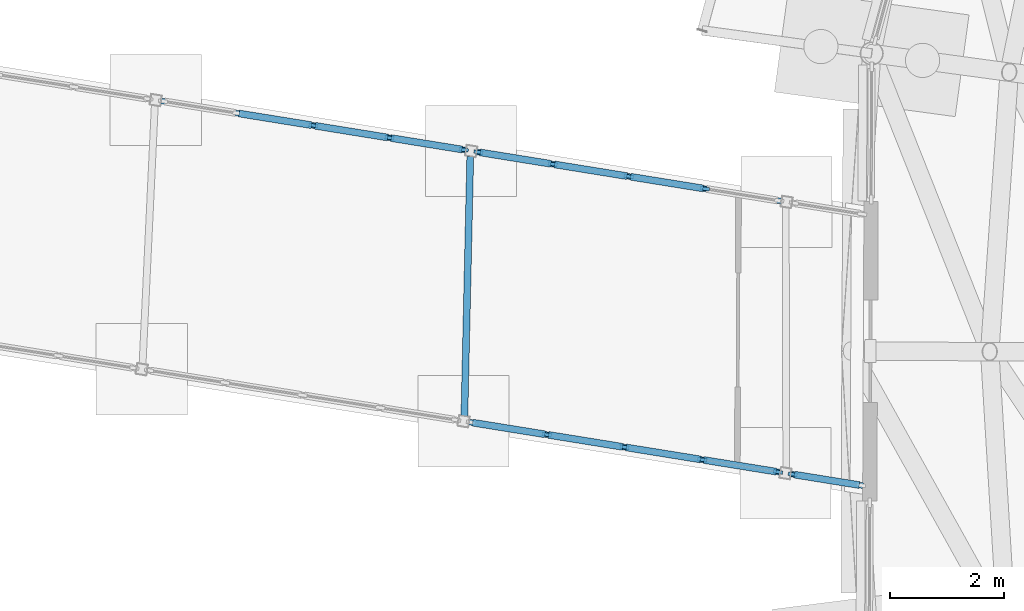
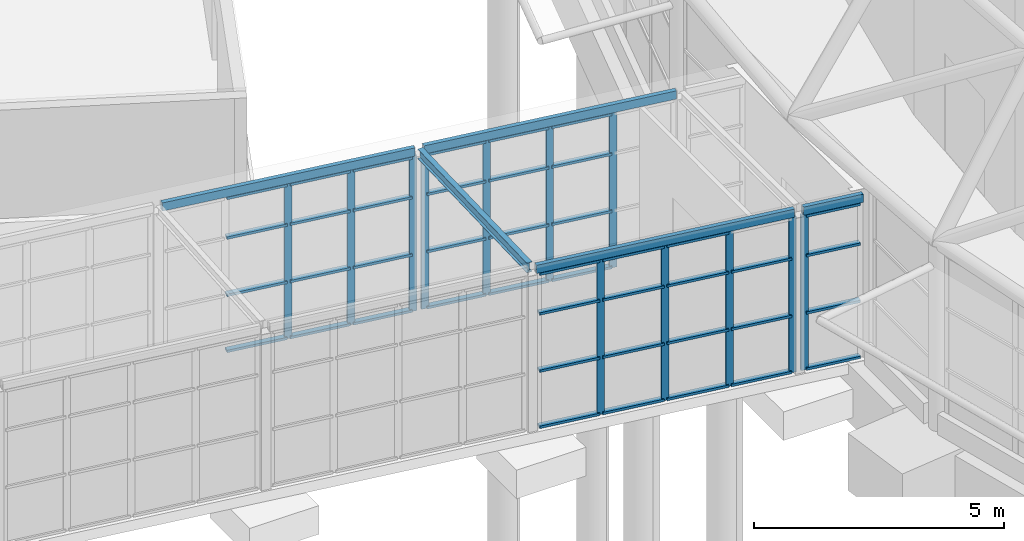
# One storey, part 81 of 226: 55 members, 5 beams, 4 elements without a shape of their own.
"""IFC4 building model written with IfcOpenShell, lengths in metres."""

from ifc_helpers import new_model, si_unit, direction, frame, origin, origin_2d, place, context, subcontext, project, spatial, rectangle, hollow_rectangle, i_section, extrude, material, material_profile, profile_set, type_object, element, aggregate, save


model = new_model("IFC4")

# Units and contexts
model_context = context("Model", 3, precision=1e-05, world=origin(), true_north=direction((0.0, 1.0)))
body_context = subcontext(model_context, "Body", "Model", "MODEL_VIEW")
ifc_project = project(units=[si_unit("LENGTHUNIT", "METRE"), si_unit("AREAUNIT", "SQUARE_METRE"), si_unit("VOLUMEUNIT", "CUBIC_METRE"), si_unit("PLANEANGLEUNIT", "RADIAN"), si_unit("MASSUNIT", "GRAM", prefix="KILO")], contexts=[model_context])

# Site, building, storey
site_placement = place(None, origin())
site = spatial("IfcSite", under=ifc_project, at=site_placement, CompositionType="ELEMENT")
building_placement = place(site_placement, origin())
building = spatial("IfcBuilding", under=site, at=building_placement, Name="Ceibo Conservatory and Research Tower", CompositionType="ELEMENT")
storey_placement = place(building_placement, origin())
storey = spatial("IfcBuildingStorey", under=building, at=storey_placement, Name="L00", CompositionType="ELEMENT", Elevation=0.0)

# Curtain wall, member
ifc_material_1 = material(Name="Aluminium and glass", Category="aluminium")
curtain_wall_type = type_object("IfcCurtainWallType", Name="Gallery curtain wall", PredefinedType="NOTDEFINED", material=ifc_material_1)
curtain_wall_1_placement = place(storey_placement, origin())
curtain_wall_1 = element("IfcCurtainWall", 1, at=curtain_wall_1_placement, inside=storey, type_object=curtain_wall_type, Name="Gallery curtain wall A-RT-CWN01", PredefinedType="NOTDEFINED")
ifc_material_2 = material(Name="Aluminium", Category="aluminium")
ifc_material_profile_1 = material_profile(ifc_material_2, rectangle(XDim=0.06005859375, YDim=0.159912109375, at=origin_2d()), Name="AL 60x160")
ifc_profile_set_1 = profile_set([ifc_material_profile_1], Name="Aluminium")
member_type_1 = type_object("IfcMemberType", Name="Gallery mullion 60x160", PredefinedType="MULLION", material=ifc_profile_set_1)
member_1_placement = place(storey_placement, frame((114.979736328125, 106.0126953125, 0.0), z_axis=(0.0, 0.0, 1.0), x_axis=(-0.159391110254, -0.987215515464, 0.0)))
member_1 = element("IfcMember", 2, at=member_1_placement, type_object=member_type_1, Name="A-RT-CWN01 mullion 2", PredefinedType="MULLION", context=body_context, shape_type="SweptSolid", body=[
    extrude(rectangle(XDim=0.06005859375, YDim=0.159912109375, at=origin_2d()), origin(), (0.0, 0.0, 1.0), 3.800048828125),
])

# Curtain wall, members
curtain_wall_2_placement = place(storey_placement, origin())
curtain_wall_2 = element("IfcCurtainWall", 3, at=curtain_wall_2_placement, inside=storey, type_object=curtain_wall_type, Name="Gallery curtain wall A-RT-CWN02", PredefinedType="NOTDEFINED")
member_2_placement = place(storey_placement, frame((114.72314453125, 106.05419921875, 0.0), z_axis=(0.0, 0.0, 1.0), x_axis=(-0.159391110254, -0.987215515464, 0.0)))
member_2 = element("IfcMember", 4, at=member_2_placement, type_object=member_type_1, Name="A-RT-CWN02 mullion 1", PredefinedType="MULLION", context=body_context, shape_type="SweptSolid", body=[
    extrude(rectangle(XDim=0.06005859375, YDim=0.159912109375, at=origin_2d()), origin(), (0.0, 0.0, 1.0), 3.800048828125),
])
member_3_placement = place(storey_placement, frame((113.390869140625, 106.269287109375, 0.0), z_axis=(0.0, 0.0, 1.0), x_axis=(-0.159391110254, -0.987215515464, 0.0)))
member_3 = element("IfcMember", 5, at=member_3_placement, type_object=member_type_1, Name="A-RT-CWN02 mullion 2", PredefinedType="MULLION", context=body_context, shape_type="SweptSolid", body=[
    extrude(rectangle(XDim=0.06005859375, YDim=0.159912109375, at=origin_2d()), origin(), (0.0, 0.0, 1.0), 3.800048828125),
])
member_4_placement = place(storey_placement, frame((112.02880859375, 106.489013671875, 0.0), z_axis=(0.0, 0.0, 1.0), x_axis=(-0.159391110254, -0.987215515464, 0.0)))
member_4 = element("IfcMember", 6, at=member_4_placement, type_object=member_type_1, Name="A-RT-CWN02 mullion 3", PredefinedType="MULLION", context=body_context, shape_type="SweptSolid", body=[
    extrude(rectangle(XDim=0.06005859375, YDim=0.159912109375, at=origin_2d()), origin(), (0.0, 0.0, 1.0), 3.800048828125),
])
member_5_placement = place(storey_placement, frame((110.6669921875, 106.708984375, 0.0), z_axis=(0.0, 0.0, 1.0), x_axis=(-0.159391110254, -0.987215515464, 0.0)))
member_5 = element("IfcMember", 7, at=member_5_placement, type_object=member_type_1, Name="A-RT-CWN02 mullion 4", PredefinedType="MULLION", context=body_context, shape_type="SweptSolid", body=[
    extrude(rectangle(XDim=0.06005859375, YDim=0.159912109375, at=origin_2d()), origin(), (0.0, 0.0, 1.0), 3.800048828125),
])

curtain_wall_3_placement = place(storey_placement, origin())
curtain_wall_3 = element("IfcCurtainWall", 8, at=curtain_wall_3_placement, inside=storey, type_object=curtain_wall_type, Name="Gallery curtain wall A-RT-CWS02", PredefinedType="NOTDEFINED")
member_6_placement = place(storey_placement, frame((113.439453125, 111.022216796875, 0.0), z_axis=(0.0, 0.0, 1.0), x_axis=(-0.159391110254, -0.987215515464, 0.0)))
member_6 = element("IfcMember", 9, at=member_6_placement, type_object=member_type_1, Name="A-RT-CWS02 mullion 2", PredefinedType="MULLION", context=body_context, shape_type="SweptSolid", body=[
    extrude(rectangle(XDim=0.06005859375, YDim=0.159912109375, at=origin_2d()), origin(), (0.0, 0.0, 1.0), 3.800048828125),
])
member_7_placement = place(storey_placement, frame((112.105712890625, 111.237548828125, 0.0), z_axis=(0.0, 0.0, 1.0), x_axis=(-0.159391110254, -0.987215515464, 0.0)))
member_7 = element("IfcMember", 10, at=member_7_placement, type_object=member_type_1, Name="A-RT-CWS02 mullion 3", PredefinedType="MULLION", context=body_context, shape_type="SweptSolid", body=[
    extrude(rectangle(XDim=0.06005859375, YDim=0.159912109375, at=origin_2d()), origin(), (0.0, 0.0, 1.0), 3.800048828125),
])
member_8_placement = place(storey_placement, frame((110.771728515625, 111.452880859375, 0.0), z_axis=(0.0, 0.0, 1.0), x_axis=(-0.159391110254, -0.987215515464, 0.0)))
member_8 = element("IfcMember", 11, at=member_8_placement, type_object=member_type_1, Name="A-RT-CWS02 mullion 4", PredefinedType="MULLION", context=body_context, shape_type="SweptSolid", body=[
    extrude(rectangle(XDim=0.06005859375, YDim=0.159912109375, at=origin_2d()), origin(), (0.0, 0.0, 1.0), 3.800048828125),
])
member_9_placement = place(storey_placement, frame((109.467529296875, 111.66357421875, 0.0), z_axis=(0.0, 0.0, 1.0), x_axis=(-0.159391110254, -0.987215515464, 0.0)))
member_9 = element("IfcMember", 12, at=member_9_placement, type_object=member_type_1, Name="A-RT-CWS02 mullion 5", PredefinedType="MULLION", context=body_context, shape_type="SweptSolid", body=[
    extrude(rectangle(XDim=0.06005859375, YDim=0.159912109375, at=origin_2d()), origin(), (0.0, 0.0, 1.0), 3.800048828125),
])

curtain_wall_4_placement = place(storey_placement, origin())
curtain_wall_4 = element("IfcCurtainWall", 13, at=curtain_wall_4_placement, inside=storey, type_object=curtain_wall_type, Name="Gallery curtain wall A-RT-CWS03", PredefinedType="NOTDEFINED")
member_10_placement = place(storey_placement, frame((109.2109375, 111.704833984375, 0.0), z_axis=(0.0, 0.0, 1.0), x_axis=(-0.159391110254, -0.987215515464, 0.0)))
member_10 = element("IfcMember", 14, at=member_10_placement, type_object=member_type_1, Name="A-RT-CWS03 mullion 1", PredefinedType="MULLION", context=body_context, shape_type="SweptSolid", body=[
    extrude(rectangle(XDim=0.06005859375, YDim=0.159912109375, at=origin_2d()), origin(), (0.0, 0.0, 1.0), 3.800048828125),
])
member_11_placement = place(storey_placement, frame((107.906494140625, 111.91552734375, 0.0), z_axis=(0.0, 0.0, 1.0), x_axis=(-0.159391110254, -0.987215515464, 0.0)))
member_11 = element("IfcMember", 15, at=member_11_placement, type_object=member_type_1, Name="A-RT-CWS03 mullion 2", PredefinedType="MULLION", context=body_context, shape_type="SweptSolid", body=[
    extrude(rectangle(XDim=0.06005859375, YDim=0.159912109375, at=origin_2d()), origin(), (0.0, 0.0, 1.0), 3.800048828125),
])
member_12_placement = place(storey_placement, frame((106.57275390625, 112.130859375, 0.0), z_axis=(0.0, 0.0, 1.0), x_axis=(-0.159391110254, -0.987215515464, 0.0)))
member_12 = element("IfcMember", 16, at=member_12_placement, type_object=member_type_1, Name="A-RT-CWS03 mullion 3", PredefinedType="MULLION", context=body_context, shape_type="SweptSolid", body=[
    extrude(rectangle(XDim=0.06005859375, YDim=0.159912109375, at=origin_2d()), origin(), (0.0, 0.0, 1.0), 3.800048828125),
])

# Member
ifc_material_profile_2 = material_profile(ifc_material_2, rectangle(XDim=0.1201171875, YDim=0.06005859375, at=origin_2d()), Name="AL 60x120")
ifc_profile_set_2 = profile_set([ifc_material_profile_2], Name="Aluminium")
member_type_2 = type_object("IfcMemberType", Name="Gallery transom 60x120", PredefinedType="USERDEFINED", material=ifc_profile_set_2)
member_13_placement = place(storey_placement, frame((116.14794921875, 105.823974609375, 0.030029296875), z_axis=(-0.987216421481, 0.15938549858, 0.0), x_axis=(-0.15938549858, -0.987216421481, 0.0)))
member_13 = element("IfcMember", 17, at=member_13_placement, type_object=member_type_2, Name="A-RT-CWN01 transom 1.1", ObjectType="TRANSOM", PredefinedType="USERDEFINED", context=body_context, shape_type="SweptSolid", body=[
    extrude(rectangle(XDim=0.1201171875, YDim=0.06005859375, at=origin_2d()), origin(), (0.0, 0.0, 1.0), 1.1533203125),
])

member_14_placement = place(storey_placement, frame((116.14794921875, 105.823974609375, 1.39990234375), z_axis=(-0.987216421481, 0.15938549858, 0.0), x_axis=(-0.15938549858, -0.987216421481, 0.0)))
member_14 = element("IfcMember", 18, at=member_14_placement, type_object=member_type_2, Name="A-RT-CWN01 transom 1.2", ObjectType="TRANSOM", PredefinedType="USERDEFINED", context=body_context, shape_type="SweptSolid", body=[
    extrude(rectangle(XDim=0.1201171875, YDim=0.06005859375, at=origin_2d()), origin(), (0.0, 0.0, 1.0), 1.1533203125),
])

member_15_placement = place(storey_placement, frame((116.14794921875, 105.823974609375, 2.800048828125), z_axis=(-0.987216421481, 0.15938549858, 0.0), x_axis=(-0.15938549858, -0.987216421481, 0.0)))
member_15 = element("IfcMember", 19, at=member_15_placement, type_object=member_type_2, Name="A-RT-CWN01 transom 1.3", ObjectType="TRANSOM", PredefinedType="USERDEFINED", context=body_context, shape_type="SweptSolid", body=[
    extrude(rectangle(XDim=0.1201171875, YDim=0.06005859375, at=origin_2d()), origin(), (0.0, 0.0, 1.0), 1.1533203125),
])

member_16_placement = place(storey_placement, frame((116.14794921875, 105.823974609375, 3.77001953125), z_axis=(-0.987216421481, 0.15938549858, 0.0), x_axis=(-0.15938549858, -0.987216421481, 0.0)))
member_16 = element("IfcMember", 20, at=member_16_placement, type_object=member_type_2, Name="A-RT-CWN01 transom 1.4", ObjectType="TRANSOM", PredefinedType="USERDEFINED", context=body_context, shape_type="SweptSolid", body=[
    extrude(rectangle(XDim=0.1201171875, YDim=0.06005859375, at=origin_2d()), origin(), (0.0, 0.0, 1.0), 1.1533203125),
])

aggregate(curtain_wall_1, [member_1, member_13, member_14, member_15, member_16])

member_17_placement = place(storey_placement, frame((114.693359375, 106.058837890625, 0.030029296875), z_axis=(-0.987210378052, 0.159422926413, 0.0), x_axis=(-0.159422926413, -0.987210378052, 0.0)))
member_17 = element("IfcMember", 21, at=member_17_placement, type_object=member_type_2, Name="A-RT-CWN02 transom 1.1", ObjectType="TRANSOM", PredefinedType="USERDEFINED", context=body_context, shape_type="SweptSolid", body=[
    extrude(rectangle(XDim=0.1201171875, YDim=0.06005859375, at=origin_2d()), origin(), (0.0, 0.0, 1.0), 1.28955078125),
])

member_18_placement = place(storey_placement, frame((114.693359375, 106.058837890625, 1.39990234375), z_axis=(-0.987210378052, 0.159422926413, 0.0), x_axis=(-0.159422926413, -0.987210378052, 0.0)))
member_18 = element("IfcMember", 22, at=member_18_placement, type_object=member_type_2, Name="A-RT-CWN02 transom 1.2", ObjectType="TRANSOM", PredefinedType="USERDEFINED", context=body_context, shape_type="SweptSolid", body=[
    extrude(rectangle(XDim=0.1201171875, YDim=0.06005859375, at=origin_2d()), origin(), (0.0, 0.0, 1.0), 1.28955078125),
])

member_19_placement = place(storey_placement, frame((114.693359375, 106.058837890625, 2.800048828125), z_axis=(-0.987210378052, 0.159422926413, 0.0), x_axis=(-0.159422926413, -0.987210378052, 0.0)))
member_19 = element("IfcMember", 23, at=member_19_placement, type_object=member_type_2, Name="A-RT-CWN02 transom 1.3", ObjectType="TRANSOM", PredefinedType="USERDEFINED", context=body_context, shape_type="SweptSolid", body=[
    extrude(rectangle(XDim=0.1201171875, YDim=0.06005859375, at=origin_2d()), origin(), (0.0, 0.0, 1.0), 1.28955078125),
])

member_20_placement = place(storey_placement, frame((113.361083984375, 106.27392578125, 0.030029296875), z_axis=(-0.987196980638, 0.159505866412, 0.0), x_axis=(-0.159505866412, -0.987196980638, 0.0)))
member_20 = element("IfcMember", 24, at=member_20_placement, type_object=member_type_2, Name="A-RT-CWN02 transom 2.1", ObjectType="TRANSOM", PredefinedType="USERDEFINED", context=body_context, shape_type="SweptSolid", body=[
    extrude(rectangle(XDim=0.1201171875, YDim=0.06005859375, at=origin_2d()), origin(), (0.0, 0.0, 1.0), 1.3193359375),
])

member_21_placement = place(storey_placement, frame((113.361083984375, 106.27392578125, 1.39990234375), z_axis=(-0.987196980638, 0.159505866412, 0.0), x_axis=(-0.159505866412, -0.987196980638, 0.0)))
member_21 = element("IfcMember", 25, at=member_21_placement, type_object=member_type_2, Name="A-RT-CWN02 transom 2.2", ObjectType="TRANSOM", PredefinedType="USERDEFINED", context=body_context, shape_type="SweptSolid", body=[
    extrude(rectangle(XDim=0.1201171875, YDim=0.06005859375, at=origin_2d()), origin(), (0.0, 0.0, 1.0), 1.3193359375),
])

member_22_placement = place(storey_placement, frame((113.361083984375, 106.27392578125, 2.800048828125), z_axis=(-0.987196980638, 0.159505866412, 0.0), x_axis=(-0.159505866412, -0.987196980638, 0.0)))
member_22 = element("IfcMember", 26, at=member_22_placement, type_object=member_type_2, Name="A-RT-CWN02 transom 2.3", ObjectType="TRANSOM", PredefinedType="USERDEFINED", context=body_context, shape_type="SweptSolid", body=[
    extrude(rectangle(XDim=0.1201171875, YDim=0.06005859375, at=origin_2d()), origin(), (0.0, 0.0, 1.0), 1.3193359375),
])

member_23_placement = place(storey_placement, frame((113.361083984375, 106.27392578125, 3.77001953125), z_axis=(-0.987196980638, 0.159505866412, 0.0), x_axis=(-0.159505866412, -0.987196980638, 0.0)))
member_23 = element("IfcMember", 27, at=member_23_placement, type_object=member_type_2, Name="A-RT-CWN02 transom 2.4", ObjectType="TRANSOM", PredefinedType="USERDEFINED", context=body_context, shape_type="SweptSolid", body=[
    extrude(rectangle(XDim=0.1201171875, YDim=0.06005859375, at=origin_2d()), origin(), (0.0, 0.0, 1.0), 1.3193359375),
])

member_24_placement = place(storey_placement, frame((111.999267578125, 106.493896484375, 0.030029296875), z_axis=(-0.987230798426, 0.159296423809, 0.0), x_axis=(-0.159296423809, -0.987230798426, 0.0)))
member_24 = element("IfcMember", 28, at=member_24_placement, type_object=member_type_2, Name="A-RT-CWN02 transom 3.1", ObjectType="TRANSOM", PredefinedType="USERDEFINED", context=body_context, shape_type="SweptSolid", body=[
    extrude(rectangle(XDim=0.1201171875, YDim=0.06005859375, at=origin_2d()), origin(), (0.0, 0.0, 1.0), 1.319580078125),
])

member_25_placement = place(storey_placement, frame((111.999267578125, 106.493896484375, 1.39990234375), z_axis=(-0.987230798426, 0.159296423809, 0.0), x_axis=(-0.159296423809, -0.987230798426, 0.0)))
member_25 = element("IfcMember", 29, at=member_25_placement, type_object=member_type_2, Name="A-RT-CWN02 transom 3.2", ObjectType="TRANSOM", PredefinedType="USERDEFINED", context=body_context, shape_type="SweptSolid", body=[
    extrude(rectangle(XDim=0.1201171875, YDim=0.06005859375, at=origin_2d()), origin(), (0.0, 0.0, 1.0), 1.319580078125),
])

member_26_placement = place(storey_placement, frame((111.999267578125, 106.493896484375, 2.800048828125), z_axis=(-0.987230798426, 0.159296423809, 0.0), x_axis=(-0.159296423809, -0.987230798426, 0.0)))
member_26 = element("IfcMember", 30, at=member_26_placement, type_object=member_type_2, Name="A-RT-CWN02 transom 3.3", ObjectType="TRANSOM", PredefinedType="USERDEFINED", context=body_context, shape_type="SweptSolid", body=[
    extrude(rectangle(XDim=0.1201171875, YDim=0.06005859375, at=origin_2d()), origin(), (0.0, 0.0, 1.0), 1.319580078125),
])

member_27_placement = place(storey_placement, frame((111.999267578125, 106.493896484375, 3.77001953125), z_axis=(-0.987230798426, 0.159296423809, 0.0), x_axis=(-0.159296423809, -0.987230798426, 0.0)))
member_27 = element("IfcMember", 31, at=member_27_placement, type_object=member_type_2, Name="A-RT-CWN02 transom 3.4", ObjectType="TRANSOM", PredefinedType="USERDEFINED", context=body_context, shape_type="SweptSolid", body=[
    extrude(rectangle(XDim=0.1201171875, YDim=0.06005859375, at=origin_2d()), origin(), (0.0, 0.0, 1.0), 1.319580078125),
])

member_28_placement = place(storey_placement, frame((110.637451171875, 106.7138671875, 0.030029296875), z_axis=(-0.987244960359, 0.159208631191, 0.0), x_axis=(-0.159208631191, -0.987244960359, 0.0)))
member_28 = element("IfcMember", 32, at=member_28_placement, type_object=member_type_2, Name="A-RT-CWN02 transom 4.1", ObjectType="TRANSOM", PredefinedType="USERDEFINED", context=body_context, shape_type="SweptSolid", body=[
    extrude(rectangle(XDim=0.1201171875, YDim=0.06005859375, at=origin_2d()), origin(), (0.0, 0.0, 1.0), 1.28955078125),
])

member_29_placement = place(storey_placement, frame((110.637451171875, 106.7138671875, 1.39990234375), z_axis=(-0.987244960359, 0.159208631191, 0.0), x_axis=(-0.159208631191, -0.987244960359, 0.0)))
member_29 = element("IfcMember", 33, at=member_29_placement, type_object=member_type_2, Name="A-RT-CWN02 transom 4.2", ObjectType="TRANSOM", PredefinedType="USERDEFINED", context=body_context, shape_type="SweptSolid", body=[
    extrude(rectangle(XDim=0.1201171875, YDim=0.06005859375, at=origin_2d()), origin(), (0.0, 0.0, 1.0), 1.28955078125),
])

member_30_placement = place(storey_placement, frame((110.637451171875, 106.7138671875, 2.800048828125), z_axis=(-0.987244960359, 0.159208631191, 0.0), x_axis=(-0.159208631191, -0.987244960359, 0.0)))
member_30 = element("IfcMember", 34, at=member_30_placement, type_object=member_type_2, Name="A-RT-CWN02 transom 4.3", ObjectType="TRANSOM", PredefinedType="USERDEFINED", context=body_context, shape_type="SweptSolid", body=[
    extrude(rectangle(XDim=0.1201171875, YDim=0.06005859375, at=origin_2d()), origin(), (0.0, 0.0, 1.0), 1.28955078125),
])

member_31_placement = place(storey_placement, frame((110.637451171875, 106.7138671875, 3.77001953125), z_axis=(-0.987244960359, 0.159208631191, 0.0), x_axis=(-0.159208631191, -0.987244960359, 0.0)))
member_31 = element("IfcMember", 35, at=member_31_placement, type_object=member_type_2, Name="A-RT-CWN02 transom 4.4", ObjectType="TRANSOM", PredefinedType="USERDEFINED", context=body_context, shape_type="SweptSolid", body=[
    extrude(rectangle(XDim=0.1201171875, YDim=0.06005859375, at=origin_2d()), origin(), (0.0, 0.0, 1.0), 1.28955078125),
])

aggregate(curtain_wall_2, [member_2, member_3, member_4, member_5, member_17, member_18, member_19, member_20, member_21, member_22, member_23, member_24, member_25, member_26, member_27, member_28, member_29, member_30, member_31])

member_32_placement = place(storey_placement, frame((113.409912109375, 111.02685546875, 0.030029296875), z_axis=(-0.987214258871, 0.159398892976, 0.0), x_axis=(-0.159398892976, -0.987214258871, 0.0)))
member_32 = element("IfcMember", 36, at=member_32_placement, type_object=member_type_2, Name="A-RT-CWS02 transom 2.1", ObjectType="TRANSOM", PredefinedType="USERDEFINED", context=body_context, shape_type="SweptSolid", body=[
    extrude(rectangle(XDim=0.1201171875, YDim=0.06005859375, at=origin_2d()), origin(), (0.0, 0.0, 1.0), 1.291259765625),
])

member_33_placement = place(storey_placement, frame((113.409912109375, 111.02685546875, 1.39990234375), z_axis=(-0.987214258871, 0.159398892976, 0.0), x_axis=(-0.159398892976, -0.987214258871, 0.0)))
member_33 = element("IfcMember", 37, at=member_33_placement, type_object=member_type_2, Name="A-RT-CWS02 transom 2.2", ObjectType="TRANSOM", PredefinedType="USERDEFINED", context=body_context, shape_type="SweptSolid", body=[
    extrude(rectangle(XDim=0.1201171875, YDim=0.06005859375, at=origin_2d()), origin(), (0.0, 0.0, 1.0), 1.291259765625),
])

member_34_placement = place(storey_placement, frame((113.409912109375, 111.02685546875, 2.800048828125), z_axis=(-0.987214258871, 0.159398892976, 0.0), x_axis=(-0.159398892976, -0.987214258871, 0.0)))
member_34 = element("IfcMember", 38, at=member_34_placement, type_object=member_type_2, Name="A-RT-CWS02 transom 2.3", ObjectType="TRANSOM", PredefinedType="USERDEFINED", context=body_context, shape_type="SweptSolid", body=[
    extrude(rectangle(XDim=0.1201171875, YDim=0.06005859375, at=origin_2d()), origin(), (0.0, 0.0, 1.0), 1.291259765625),
])

member_35_placement = place(storey_placement, frame((113.409912109375, 111.02685546875, 3.77001953125), z_axis=(-0.987214258871, 0.159398892976, 0.0), x_axis=(-0.159398892976, -0.987214258871, 0.0)))
member_35 = element("IfcMember", 39, at=member_35_placement, type_object=member_type_2, Name="A-RT-CWS02 transom 2.4", ObjectType="TRANSOM", PredefinedType="USERDEFINED", context=body_context, shape_type="SweptSolid", body=[
    extrude(rectangle(XDim=0.1201171875, YDim=0.06005859375, at=origin_2d()), origin(), (0.0, 0.0, 1.0), 1.291259765625),
])

member_36_placement = place(storey_placement, frame((112.076171875, 111.242431640625, 0.030029296875), z_axis=(-0.987214258871, 0.159398892976, 0.0), x_axis=(-0.159398892976, -0.987214258871, 0.0)))
member_36 = element("IfcMember", 40, at=member_36_placement, type_object=member_type_2, Name="A-RT-CWS02 transom 3.1", ObjectType="TRANSOM", PredefinedType="USERDEFINED", context=body_context, shape_type="SweptSolid", body=[
    extrude(rectangle(XDim=0.1201171875, YDim=0.06005859375, at=origin_2d()), origin(), (0.0, 0.0, 1.0), 1.291259765625),
])

member_37_placement = place(storey_placement, frame((112.076171875, 111.242431640625, 1.39990234375), z_axis=(-0.987214258871, 0.159398892976, 0.0), x_axis=(-0.159398892976, -0.987214258871, 0.0)))
member_37 = element("IfcMember", 41, at=member_37_placement, type_object=member_type_2, Name="A-RT-CWS02 transom 3.2", ObjectType="TRANSOM", PredefinedType="USERDEFINED", context=body_context, shape_type="SweptSolid", body=[
    extrude(rectangle(XDim=0.1201171875, YDim=0.06005859375, at=origin_2d()), origin(), (0.0, 0.0, 1.0), 1.291259765625),
])

member_38_placement = place(storey_placement, frame((112.076171875, 111.242431640625, 2.800048828125), z_axis=(-0.987214258871, 0.159398892976, 0.0), x_axis=(-0.159398892976, -0.987214258871, 0.0)))
member_38 = element("IfcMember", 42, at=member_38_placement, type_object=member_type_2, Name="A-RT-CWS02 transom 3.3", ObjectType="TRANSOM", PredefinedType="USERDEFINED", context=body_context, shape_type="SweptSolid", body=[
    extrude(rectangle(XDim=0.1201171875, YDim=0.06005859375, at=origin_2d()), origin(), (0.0, 0.0, 1.0), 1.291259765625),
])

member_39_placement = place(storey_placement, frame((112.076171875, 111.242431640625, 3.77001953125), z_axis=(-0.987214258871, 0.159398892976, 0.0), x_axis=(-0.159398892976, -0.987214258871, 0.0)))
member_39 = element("IfcMember", 43, at=member_39_placement, type_object=member_type_2, Name="A-RT-CWS02 transom 3.4", ObjectType="TRANSOM", PredefinedType="USERDEFINED", context=body_context, shape_type="SweptSolid", body=[
    extrude(rectangle(XDim=0.1201171875, YDim=0.06005859375, at=origin_2d()), origin(), (0.0, 0.0, 1.0), 1.291259765625),
])

member_40_placement = place(storey_placement, frame((110.7421875, 111.457763671875, 0.030029296875), z_axis=(-0.987228356567, 0.159311556364, 0.0), x_axis=(-0.159311556364, -0.987228356567, 0.0)))
member_40 = element("IfcMember", 44, at=member_40_placement, type_object=member_type_2, Name="A-RT-CWS02 transom 4.1", ObjectType="TRANSOM", PredefinedType="USERDEFINED", context=body_context, shape_type="SweptSolid", body=[
    extrude(rectangle(XDim=0.1201171875, YDim=0.06005859375, at=origin_2d()), origin(), (0.0, 0.0, 1.0), 1.26123046875),
])

member_41_placement = place(storey_placement, frame((110.7421875, 111.457763671875, 1.39990234375), z_axis=(-0.987228356567, 0.159311556364, 0.0), x_axis=(-0.159311556364, -0.987228356567, 0.0)))
member_41 = element("IfcMember", 45, at=member_41_placement, type_object=member_type_2, Name="A-RT-CWS02 transom 4.2", ObjectType="TRANSOM", PredefinedType="USERDEFINED", context=body_context, shape_type="SweptSolid", body=[
    extrude(rectangle(XDim=0.1201171875, YDim=0.06005859375, at=origin_2d()), origin(), (0.0, 0.0, 1.0), 1.26123046875),
])

member_42_placement = place(storey_placement, frame((110.7421875, 111.457763671875, 2.800048828125), z_axis=(-0.987228356567, 0.159311556364, 0.0), x_axis=(-0.159311556364, -0.987228356567, 0.0)))
member_42 = element("IfcMember", 46, at=member_42_placement, type_object=member_type_2, Name="A-RT-CWS02 transom 4.3", ObjectType="TRANSOM", PredefinedType="USERDEFINED", context=body_context, shape_type="SweptSolid", body=[
    extrude(rectangle(XDim=0.1201171875, YDim=0.06005859375, at=origin_2d()), origin(), (0.0, 0.0, 1.0), 1.26123046875),
])

member_43_placement = place(storey_placement, frame((110.7421875, 111.457763671875, 3.77001953125), z_axis=(-0.987228356567, 0.159311556364, 0.0), x_axis=(-0.159311556364, -0.987228356567, 0.0)))
member_43 = element("IfcMember", 47, at=member_43_placement, type_object=member_type_2, Name="A-RT-CWS02 transom 4.4", ObjectType="TRANSOM", PredefinedType="USERDEFINED", context=body_context, shape_type="SweptSolid", body=[
    extrude(rectangle(XDim=0.1201171875, YDim=0.06005859375, at=origin_2d()), origin(), (0.0, 0.0, 1.0), 1.26123046875),
])

aggregate(curtain_wall_3, [member_6, member_7, member_8, member_9, member_32, member_33, member_34, member_35, member_36, member_37, member_38, member_39, member_40, member_41, member_42, member_43])

member_44_placement = place(storey_placement, frame((109.18115234375, 111.709716796875, 0.030029296875), z_axis=(-0.987223442212, 0.159342006852, 0.0), x_axis=(-0.159342006852, -0.987223442212, 0.0)))
member_44 = element("IfcMember", 48, at=member_44_placement, type_object=member_type_2, Name="A-RT-CWS03 transom 1.1", ObjectType="TRANSOM", PredefinedType="USERDEFINED", context=body_context, shape_type="SweptSolid", body=[
    extrude(rectangle(XDim=0.1201171875, YDim=0.06005859375, at=origin_2d()), origin(), (0.0, 0.0, 1.0), 1.260986328125),
])

member_45_placement = place(storey_placement, frame((109.18115234375, 111.709716796875, 1.39990234375), z_axis=(-0.987223442212, 0.159342006852, 0.0), x_axis=(-0.159342006852, -0.987223442212, 0.0)))
member_45 = element("IfcMember", 49, at=member_45_placement, type_object=member_type_2, Name="A-RT-CWS03 transom 1.2", ObjectType="TRANSOM", PredefinedType="USERDEFINED", context=body_context, shape_type="SweptSolid", body=[
    extrude(rectangle(XDim=0.1201171875, YDim=0.06005859375, at=origin_2d()), origin(), (0.0, 0.0, 1.0), 1.260986328125),
])

member_46_placement = place(storey_placement, frame((109.18115234375, 111.709716796875, 2.800048828125), z_axis=(-0.987223442212, 0.159342006852, 0.0), x_axis=(-0.159342006852, -0.987223442212, 0.0)))
member_46 = element("IfcMember", 50, at=member_46_placement, type_object=member_type_2, Name="A-RT-CWS03 transom 1.3", ObjectType="TRANSOM", PredefinedType="USERDEFINED", context=body_context, shape_type="SweptSolid", body=[
    extrude(rectangle(XDim=0.1201171875, YDim=0.06005859375, at=origin_2d()), origin(), (0.0, 0.0, 1.0), 1.260986328125),
])

member_47_placement = place(storey_placement, frame((109.18115234375, 111.709716796875, 3.77001953125), z_axis=(-0.987223442212, 0.159342006852, 0.0), x_axis=(-0.159342006852, -0.987223442212, 0.0)))
member_47 = element("IfcMember", 51, at=member_47_placement, type_object=member_type_2, Name="A-RT-CWS03 transom 1.4", ObjectType="TRANSOM", PredefinedType="USERDEFINED", context=body_context, shape_type="SweptSolid", body=[
    extrude(rectangle(XDim=0.1201171875, YDim=0.06005859375, at=origin_2d()), origin(), (0.0, 0.0, 1.0), 1.260986328125),
])

member_48_placement = place(storey_placement, frame((107.876953125, 111.920166015625, 0.030029296875), z_axis=(-0.987214258871, 0.159398892976, 0.0), x_axis=(-0.159398892976, -0.987214258871, 0.0)))
member_48 = element("IfcMember", 52, at=member_48_placement, type_object=member_type_2, Name="A-RT-CWS03 transom 2.1", ObjectType="TRANSOM", PredefinedType="USERDEFINED", context=body_context, shape_type="SweptSolid", body=[
    extrude(rectangle(XDim=0.1201171875, YDim=0.06005859375, at=origin_2d()), origin(), (0.0, 0.0, 1.0), 1.291259765625),
])

member_49_placement = place(storey_placement, frame((107.876953125, 111.920166015625, 1.39990234375), z_axis=(-0.987214258871, 0.159398892976, 0.0), x_axis=(-0.159398892976, -0.987214258871, 0.0)))
member_49 = element("IfcMember", 53, at=member_49_placement, type_object=member_type_2, Name="A-RT-CWS03 transom 2.2", ObjectType="TRANSOM", PredefinedType="USERDEFINED", context=body_context, shape_type="SweptSolid", body=[
    extrude(rectangle(XDim=0.1201171875, YDim=0.06005859375, at=origin_2d()), origin(), (0.0, 0.0, 1.0), 1.291259765625),
])

member_50_placement = place(storey_placement, frame((107.876953125, 111.920166015625, 2.800048828125), z_axis=(-0.987214258871, 0.159398892976, 0.0), x_axis=(-0.159398892976, -0.987214258871, 0.0)))
member_50 = element("IfcMember", 54, at=member_50_placement, type_object=member_type_2, Name="A-RT-CWS03 transom 2.3", ObjectType="TRANSOM", PredefinedType="USERDEFINED", context=body_context, shape_type="SweptSolid", body=[
    extrude(rectangle(XDim=0.1201171875, YDim=0.06005859375, at=origin_2d()), origin(), (0.0, 0.0, 1.0), 1.291259765625),
])

member_51_placement = place(storey_placement, frame((107.876953125, 111.920166015625, 3.77001953125), z_axis=(-0.987214258871, 0.159398892976, 0.0), x_axis=(-0.159398892976, -0.987214258871, 0.0)))
member_51 = element("IfcMember", 55, at=member_51_placement, type_object=member_type_2, Name="A-RT-CWS03 transom 2.4", ObjectType="TRANSOM", PredefinedType="USERDEFINED", context=body_context, shape_type="SweptSolid", body=[
    extrude(rectangle(XDim=0.1201171875, YDim=0.06005859375, at=origin_2d()), origin(), (0.0, 0.0, 1.0), 1.291259765625),
])

member_52_placement = place(storey_placement, frame((106.543212890625, 112.1357421875, 0.030029296875), z_axis=(-0.987214258871, 0.159398892976, 0.0), x_axis=(-0.159398892976, -0.987214258871, 0.0)))
member_52 = element("IfcMember", 56, at=member_52_placement, type_object=member_type_2, Name="A-RT-CWS03 transom 3.1", ObjectType="TRANSOM", PredefinedType="USERDEFINED", context=body_context, shape_type="SweptSolid", body=[
    extrude(rectangle(XDim=0.1201171875, YDim=0.06005859375, at=origin_2d()), origin(), (0.0, 0.0, 1.0), 1.291259765625),
])

member_53_placement = place(storey_placement, frame((106.543212890625, 112.1357421875, 1.39990234375), z_axis=(-0.987214258871, 0.159398892976, 0.0), x_axis=(-0.159398892976, -0.987214258871, 0.0)))
member_53 = element("IfcMember", 57, at=member_53_placement, type_object=member_type_2, Name="A-RT-CWS03 transom 3.2", ObjectType="TRANSOM", PredefinedType="USERDEFINED", context=body_context, shape_type="SweptSolid", body=[
    extrude(rectangle(XDim=0.1201171875, YDim=0.06005859375, at=origin_2d()), origin(), (0.0, 0.0, 1.0), 1.291259765625),
])

member_54_placement = place(storey_placement, frame((106.543212890625, 112.1357421875, 2.800048828125), z_axis=(-0.987214258871, 0.159398892976, 0.0), x_axis=(-0.159398892976, -0.987214258871, 0.0)))
member_54 = element("IfcMember", 58, at=member_54_placement, type_object=member_type_2, Name="A-RT-CWS03 transom 3.3", ObjectType="TRANSOM", PredefinedType="USERDEFINED", context=body_context, shape_type="SweptSolid", body=[
    extrude(rectangle(XDim=0.1201171875, YDim=0.06005859375, at=origin_2d()), origin(), (0.0, 0.0, 1.0), 1.291259765625),
])

member_55_placement = place(storey_placement, frame((106.543212890625, 112.1357421875, 3.77001953125), z_axis=(-0.987214258871, 0.159398892976, 0.0), x_axis=(-0.159398892976, -0.987214258871, 0.0)))
member_55 = element("IfcMember", 59, at=member_55_placement, type_object=member_type_2, Name="A-RT-CWS03 transom 3.4", ObjectType="TRANSOM", PredefinedType="USERDEFINED", context=body_context, shape_type="SweptSolid", body=[
    extrude(rectangle(XDim=0.1201171875, YDim=0.06005859375, at=origin_2d()), origin(), (0.0, 0.0, 1.0), 1.291259765625),
])

aggregate(curtain_wall_4, [member_10, member_11, member_12, member_44, member_45, member_46, member_47, member_48, member_49, member_50, member_51, member_52, member_53, member_54, member_55])

# Beams
ifc_material_3 = material(Name="Steel S355J2", Category="steel")
ifc_material_profile_3 = material_profile(ifc_material_3, i_section(OverallWidth=0.1201171875, OverallDepth=0.239990234375, WebThickness=0.006103515625, FlangeThickness=0.009765625, at=origin_2d()), Name="IPE 240")
ifc_profile_set_3 = profile_set([ifc_material_profile_3], Name="Steel S355J2")
beam_type_1 = type_object("IfcBeamType", Name="IPE 240 roof beam", PredefinedType="BEAM", material=ifc_profile_set_3)
beam_1_placement = place(storey_placement, frame((109.221435546875, 107.03857421875, 3.8798828125), z_axis=(0.022521640709, 0.999746355682, 0.0), x_axis=(-0.999746355682, 0.022521640709, 0.0)))
element("IfcBeam", 60, at=beam_1_placement, inside=storey, type_object=beam_type_1, Name="Gallery roof beam A-RT-RB02", PredefinedType="BEAM", context=body_context, shape_type="SweptSolid", body=[
    extrude(i_section(OverallWidth=0.1201171875, OverallDepth=0.239990234375, WebThickness=0.006103515625, FlangeThickness=0.009765625, at=origin_2d()), origin(), (0.0, 0.0, 1.0), 4.552978515625),
])
ifc_material_4 = material(Name="Steel S355J2H", Category="steel")
ifc_material_profile_4 = material_profile(ifc_material_4, hollow_rectangle(XDim=0.10009765625, YDim=0.199951171875, WallThickness=0.008056640625, at=origin_2d()), Name="RHS 200x100x8 edge beam")
ifc_profile_set_4 = profile_set([ifc_material_profile_4], Name="Steel S355J2H")
beam_type_2 = type_object("IfcBeamType", Name="RHS 200x100x8 edge beam", PredefinedType="BEAM", material=ifc_profile_set_4)
beam_2_placement = place(storey_placement, frame((116.212158203125, 105.813720703125, 3.89990234375), z_axis=(-0.987214098345, 0.15939988717, 0.0), x_axis=(-0.15939988717, -0.987214098345, 0.0)))
element("IfcBeam", 61, at=beam_2_placement, inside=storey, type_object=beam_type_2, Name="Gallery edge beam A-RT-EBN01", PredefinedType="BEAM", context=body_context, shape_type="SweptSolid", body=[
    extrude(hollow_rectangle(XDim=0.10009765625, YDim=0.199951171875, WallThickness=0.008056640625, at=origin_2d()), origin(), (0.0, 0.0, 1.0), 1.283447265625),
])
beam_3_placement = place(storey_placement, frame((114.757568359375, 106.048583984375, 3.89990234375), z_axis=(-0.987216698603, 0.159383782109, 0.0), x_axis=(-0.159383782109, -0.987216698603, 0.0)))
element("IfcBeam", 62, at=beam_3_placement, inside=storey, type_object=beam_type_2, Name="Gallery edge beam A-RT-EBN02", PredefinedType="BEAM", context=body_context, shape_type="SweptSolid", body=[
    extrude(hollow_rectangle(XDim=0.10009765625, YDim=0.199951171875, WallThickness=0.008056640625, at=origin_2d()), origin(), (0.0, 0.0, 1.0), 5.528076171875),
])
for number, where, z_axis, x_axis, name in (
    (63, (114.7783203125, 110.805908203125, 3.89990234375), (-0.987214811991, 0.159395467269, 0.0), (-0.159395467269, -0.987214811991, 0.0), "Gallery edge beam A-RT-EBS02"),
    (64, (109.245361328125, 111.699462890625, 3.89990234375), (-0.987214811991, 0.159395467269, 0.0), (-0.159395467269, -0.987214811991, 0.0), "Gallery edge beam A-RT-EBS03"),
):
    element("IfcBeam", number, at=place(storey_placement, frame(where, z_axis=z_axis, x_axis=x_axis)), inside=storey, type_object=beam_type_2, Name=name, PredefinedType="BEAM", context=body_context, shape_type="SweptSolid", body=[
        extrude(hollow_rectangle(XDim=0.10009765625, YDim=0.199951171875, WallThickness=0.008056640625, at=origin_2d()), origin(), (0.0, 0.0, 1.0), 5.41455078125),
    ])

save(model, "model.ifc")
